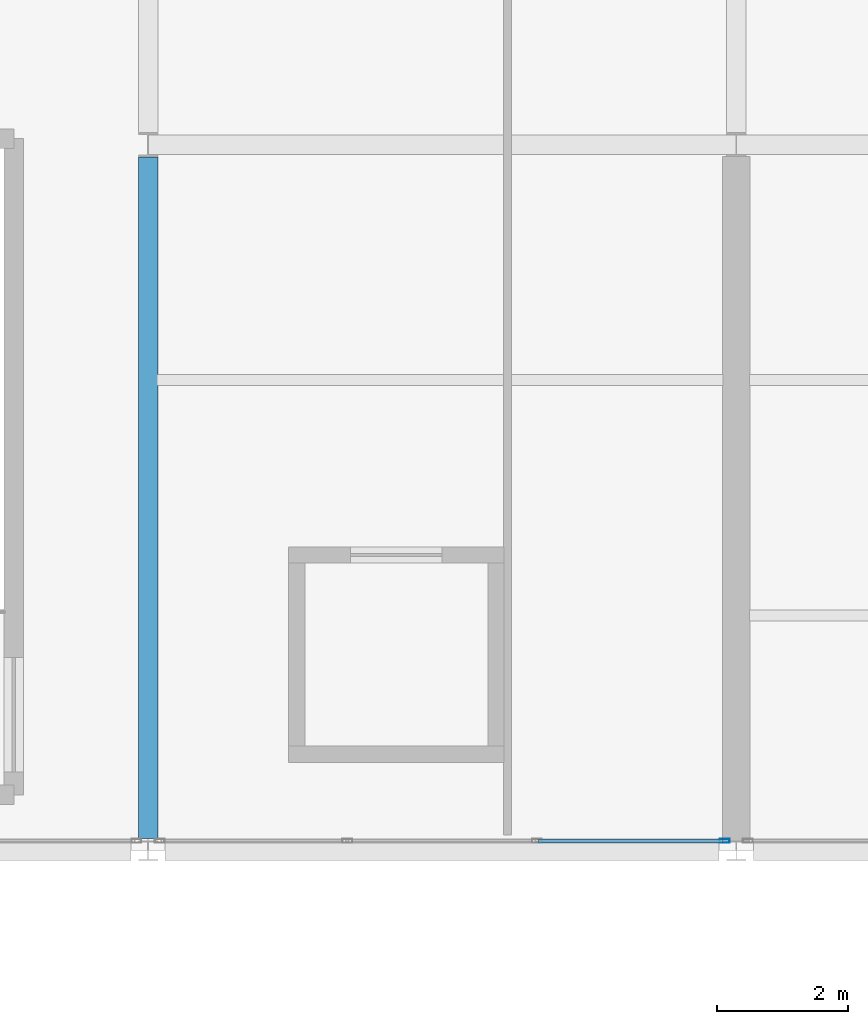
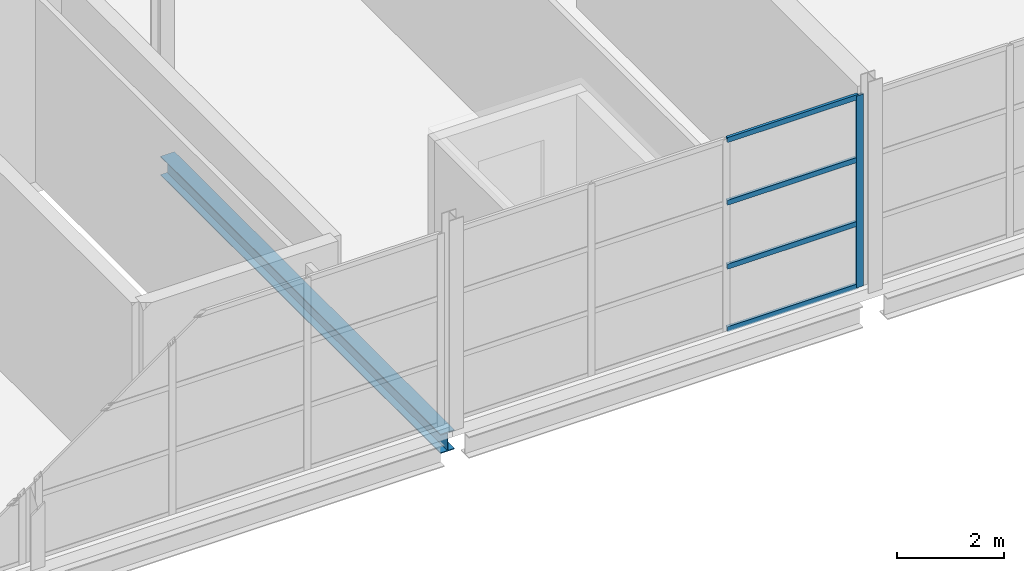
# One storey, part 45 of 134: 5 members, 1 beam, 1 element without a shape of its own.
"""IFC4 building model written with IfcOpenShell, lengths in metres."""

from ifc_helpers import new_model, si_unit, direction, frame, origin, origin_2d, place, context, subcontext, project, spatial, hollow_rectangle, i_section, extrude, material, layer, layer_set, material_profile, profile_set, type_object, element, aggregate, save


model = new_model("IFC4")

# Units and contexts
model_context = context("Model", 3, precision=1e-05, world=origin(), true_north=direction((0.0, 1.0)))
body_context = subcontext(model_context, "Body", "Model", "MODEL_VIEW")
ifc_project = project(units=[si_unit("LENGTHUNIT", "METRE"), si_unit("AREAUNIT", "SQUARE_METRE"), si_unit("VOLUMEUNIT", "CUBIC_METRE"), si_unit("PLANEANGLEUNIT", "RADIAN"), si_unit("MASSUNIT", "GRAM", prefix="KILO")], contexts=[model_context])

# Site, building, storey
site_placement = place(None, origin())
site = spatial("IfcSite", under=ifc_project, at=site_placement, CompositionType="ELEMENT")
building_placement = place(site_placement, origin())
building = spatial("IfcBuilding", under=site, at=building_placement, Name="Tamarisk Ironworks Central Station", CompositionType="ELEMENT")
storey_placement = place(building_placement, frame((0.0, 0.0, 12.60009765625)))
storey = spatial("IfcBuildingStorey", under=building, at=storey_placement, Name="L02", CompositionType="ELEMENT", Elevation=12.60009765625)

# Beam
ifc_material_1 = material(Name="Structural steel S355J2", Category="steel")
ifc_material_profile_1 = material_profile(ifc_material_1, i_section(OverallWidth=0.300048828125, OverallDepth=0.43994140625, WebThickness=0.011474609375, FlangeThickness=0.02099609375, at=origin_2d()), Name="HEA 450")
ifc_profile_set_1 = profile_set([ifc_material_profile_1], Name="Structural steel S355J2")
beam_type = type_object("IfcBeamType", Name="BM-G06", PredefinedType="BEAM", material=ifc_profile_set_1)
beam_placement = place(storey_placement, frame((18.0, 90.18798828125, -0.47021484375), z_axis=(0.0, 1.0, 0.0), x_axis=(-1.0, 0.0, 0.0)))
element("IfcBeam", 1, at=beam_placement, inside=storey, type_object=beam_type, Name="L02 primary girder Y-0433", PredefinedType="BEAM", context=body_context, shape_type="SweptSolid", body=[
    extrude(i_section(OverallWidth=0.300048828125, OverallDepth=0.43994140625, WebThickness=0.011474609375, FlangeThickness=0.02099609375, at=origin_2d()), origin(), (0.0, 0.0, 1.0), 10.424072265625),
])

# Curtain wall, members
ifc_material_2 = material(Name="Anodized aluminium alloy 6063-T6", Category="aluminium")
ifc_layer = layer(ifc_material_2, 0.179931640625)
ifc_layer_set = layer_set([ifc_layer], Name="Anodized aluminium alloy 6063-T6")
curtain_wall_type = type_object("IfcCurtainWallType", Name="CW-11", PredefinedType="USERDEFINED", material=ifc_layer_set)
curtain_wall_placement = place(storey_placement, origin())
curtain_wall = element("IfcCurtainWall", 2, at=curtain_wall_placement, inside=storey, type_object=curtain_wall_type, Name="Pavilion L02 S glazed arcade 18", ObjectType="GLAZED CURTAIN WALL", PredefinedType="USERDEFINED")
ifc_material_profile_2 = material_profile(ifc_material_2, hollow_rectangle(XDim=0.06005859375, YDim=0.14990234375, WallThickness=0.00341796875, at=origin_2d()), Name="ALUM 150x60")
ifc_profile_set_2 = profile_set([ifc_material_profile_2], Name="Anodized aluminium alloy 6063-T6")
member_type_1 = type_object("IfcMemberType", Name="CWM-03", PredefinedType="MULLION", material=ifc_profile_set_2)
member_1_placement = place(storey_placement, frame((26.822021484375, 90.14990234375, 0.0), z_axis=(0.0, 0.0, 1.0), x_axis=(0.0, 1.0, 0.0)))
member_1 = element("IfcMember", 3, at=member_1_placement, type_object=member_type_1, Name="CW11 mullion 4", PredefinedType="MULLION", context=body_context, shape_type="SweptSolid", body=[
    extrude(hollow_rectangle(XDim=0.06005859375, YDim=0.14990234375, WallThickness=0.00341796875, at=origin_2d()), origin(), (0.0, 0.0, 1.0), 4.35986328125),
])
ifc_material_profile_3 = material_profile(ifc_material_2, hollow_rectangle(XDim=0.06005859375, YDim=0.114990234375, WallThickness=0.00341796875, at=origin_2d()), Name="ALUM 115x60")
ifc_profile_set_3 = profile_set([ifc_material_profile_3], Name="Anodized aluminium alloy 6063-T6")
member_type_2 = type_object("IfcMemberType", Name="CWT-03", PredefinedType="USERDEFINED", material=ifc_profile_set_3)
member_2_placement = place(storey_placement, frame((23.9765625, 90.14990234375, 0.02978515625), z_axis=(1.0, 0.0, 0.0), x_axis=(0.0, 1.0, 0.0)))
member_2 = element("IfcMember", 4, at=member_2_placement, type_object=member_type_2, Name="CW11 transom 3.1", ObjectType="TRANSOM", PredefinedType="USERDEFINED", context=body_context, shape_type="SweptSolid", body=[
    extrude(hollow_rectangle(XDim=0.06005859375, YDim=0.114990234375, WallThickness=0.00341796875, at=origin_2d()), origin(), (0.0, 0.0, 1.0), 2.8193359375),
])
member_3_placement = place(storey_placement, frame((23.9765625, 90.14990234375, 1.453125), z_axis=(1.0, 0.0, 0.0), x_axis=(0.0, 1.0, 0.0)))
member_3 = element("IfcMember", 5, at=member_3_placement, type_object=member_type_2, Name="CW11 transom 3.2", ObjectType="TRANSOM", PredefinedType="USERDEFINED", context=body_context, shape_type="SweptSolid", body=[
    extrude(hollow_rectangle(XDim=0.06005859375, YDim=0.114990234375, WallThickness=0.00341796875, at=origin_2d()), origin(), (0.0, 0.0, 1.0), 2.8193359375),
])
member_4_placement = place(storey_placement, frame((23.9765625, 90.14990234375, 2.906494140625), z_axis=(1.0, 0.0, 0.0), x_axis=(0.0, 1.0, 0.0)))
member_4 = element("IfcMember", 6, at=member_4_placement, type_object=member_type_2, Name="CW11 transom 3.3", ObjectType="TRANSOM", PredefinedType="USERDEFINED", context=body_context, shape_type="SweptSolid", body=[
    extrude(hollow_rectangle(XDim=0.06005859375, YDim=0.114990234375, WallThickness=0.00341796875, at=origin_2d()), origin(), (0.0, 0.0, 1.0), 2.8193359375),
])
member_5_placement = place(storey_placement, frame((23.9765625, 90.14990234375, 4.329833984375), z_axis=(1.0, 0.0, 0.0), x_axis=(0.0, 1.0, 0.0)))
member_5 = element("IfcMember", 7, at=member_5_placement, type_object=member_type_2, Name="CW11 transom 3.4", ObjectType="TRANSOM", PredefinedType="USERDEFINED", context=body_context, shape_type="SweptSolid", body=[
    extrude(hollow_rectangle(XDim=0.06005859375, YDim=0.114990234375, WallThickness=0.00341796875, at=origin_2d()), origin(), (0.0, 0.0, 1.0), 2.8193359375),
])
aggregate(curtain_wall, [member_1, member_2, member_3, member_4, member_5])

save(model, "model.ifc")
